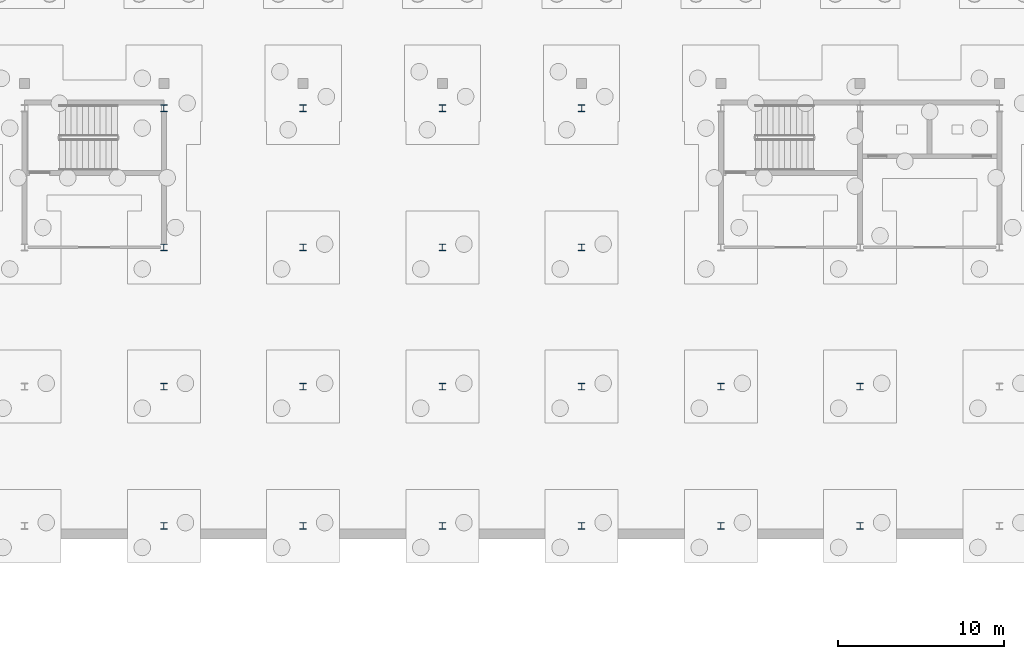
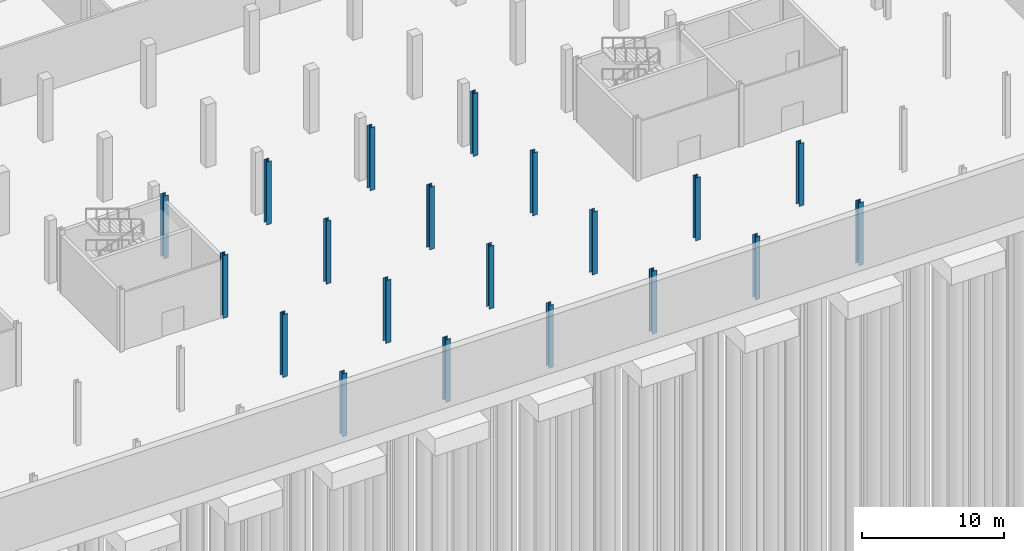
# One storey, part 8 of 29: 20 columns.
"""IFC4 building model written with IfcOpenShell, lengths in metres."""

from ifc_helpers import new_model, si_unit, direction, frame, origin, origin_2d, place, context, subcontext, project, spatial, i_section, extrude, material, material_profile, profile_set, type_object, element, save


model = new_model("IFC4")

# Units and contexts
model_context = context("Model", 3, precision=1e-05, world=origin(), true_north=direction((0.0, 1.0)))
body_context = subcontext(model_context, "Body", "Model", "MODEL_VIEW")
ifc_project = project(units=[si_unit("LENGTHUNIT", "METRE"), si_unit("AREAUNIT", "SQUARE_METRE"), si_unit("VOLUMEUNIT", "CUBIC_METRE"), si_unit("PLANEANGLEUNIT", "RADIAN"), si_unit("MASSUNIT", "GRAM", prefix="KILO")], contexts=[model_context])

# Site, building, storey
site_placement = place(None, origin())
site = spatial("IfcSite", under=ifc_project, at=site_placement, CompositionType="ELEMENT")
building_placement = place(site_placement, origin())
building = spatial("IfcBuilding", under=site, at=building_placement, Name="Cresset Court Congress Hotel", CompositionType="ELEMENT")
storey_placement = place(building_placement, frame((0.0, 0.0, -5.39990234375)))
storey = spatial("IfcBuildingStorey", under=building, at=storey_placement, Name="B1", CompositionType="ELEMENT", Elevation=-5.39990234375)

# Columns
ifc_material = material(Name="Structural steel Q355B", Category="steel")
ifc_material_profile = material_profile(ifc_material, i_section(OverallWidth=0.39990234375, OverallDepth=0.39990234375, WebThickness=0.012939453125, FlangeThickness=0.02099609375, FilletRadius=0.02197265625, at=origin_2d()), Name="HW400x400x13x21")
ifc_profile_set = profile_set([ifc_material_profile], Name="Structural steel Q355B")
column_type = type_object("IfcColumnType", Name="Steel column HW400x400x13x21", PredefinedType="COLUMN", material=ifc_profile_set)
for number, where, z_axis, x_axis, name in (
    (1, (67.199951171875, 0.0, 0.0), (0.0, 0.0, 1.0), (1.0, 0.0, 0.0), "B.col.B1.09A"),
    (2, (67.199951171875, 8.39990234375, 0.0), (0.0, 0.0, 1.0), (1.0, 0.0, 0.0), "B.col.B1.09B"),
    (3, (67.199951171875, 16.800048828125, 0.0), (0.0, 0.0, 1.0), (1.0, 0.0, 0.0), "B.col.B1.09C"),
    (4, (67.199951171875, 25.199951171875, 0.0), (0.0, 0.0, 1.0), (1.0, 0.0, 0.0), "B.col.B1.09D"),
    (5, (75.60009765625, 0.0, 0.0), (0.0, 0.0, 1.0), (1.0, 0.0, 0.0), "B.col.B1.10A"),
    (6, (75.60009765625, 8.39990234375, 0.0), (0.0, 0.0, 1.0), (1.0, 0.0, 0.0), "B.col.B1.10B"),
    (7, (75.60009765625, 16.800048828125, 0.0), (0.0, 0.0, 1.0), (1.0, 0.0, 0.0), "B.col.B1.10C"),
    (8, (75.60009765625, 25.199951171875, 0.0), (0.0, 0.0, 1.0), (1.0, 0.0, 0.0), "B.col.B1.10D"),
    (9, (84.0, 0.0, 0.0), (0.0, 0.0, 1.0), (1.0, 0.0, 0.0), "B.col.B1.11A"),
    (10, (84.0, 8.39990234375, 0.0), (0.0, 0.0, 1.0), (1.0, 0.0, 0.0), "B.col.B1.11B"),
    (11, (84.0, 16.800048828125, 0.0), (0.0, 0.0, 1.0), (1.0, 0.0, 0.0), "B.col.B1.11C"),
    (12, (84.0, 25.199951171875, 0.0), (0.0, 0.0, 1.0), (1.0, 0.0, 0.0), "B.col.B1.11D"),
    (13, (92.39990234375, 0.0, 0.0), (0.0, 0.0, 1.0), (1.0, 0.0, 0.0), "B.col.B1.12A"),
    (14, (92.39990234375, 8.39990234375, 0.0), (0.0, 0.0, 1.0), (1.0, 0.0, 0.0), "B.col.B1.12B"),
    (15, (92.39990234375, 16.800048828125, 0.0), (0.0, 0.0, 1.0), (1.0, 0.0, 0.0), "B.col.B1.12C"),
    (16, (92.39990234375, 25.199951171875, 0.0), (0.0, 0.0, 1.0), (1.0, 0.0, 0.0), "B.col.B1.12D"),
    (17, (100.800048828125, 0.0, 0.0), (0.0, 0.0, 1.0), (1.0, 0.0, 0.0), "B.col.B1.13A"),
    (18, (100.800048828125, 8.39990234375, 0.0), (0.0, 0.0, 1.0), (1.0, 0.0, 0.0), "B.col.B1.13B"),
    (19, (109.199951171875, 0.0, 0.0), (0.0, 0.0, 1.0), (1.0, 0.0, 0.0), "B.col.B1.14A"),
    (20, (109.199951171875, 8.39990234375, 0.0), (0.0, 0.0, 1.0), (1.0, 0.0, 0.0), "B.col.B1.14B"),
):
    element("IfcColumn", number, at=place(storey_placement, frame(where, z_axis=z_axis, x_axis=x_axis)), inside=storey, type_object=column_type, Name=name, PredefinedType="COLUMN", context=body_context, shape_type="SweptSolid", body=[
        extrude(i_section(OverallWidth=0.39990234375, OverallDepth=0.39990234375, WebThickness=0.012939453125, FlangeThickness=0.02099609375, FilletRadius=0.02197265625, at=origin_2d()), origin(), (0.0, 0.0, 1.0), 5.39990234375),
    ])

save(model, "model.ifc")
